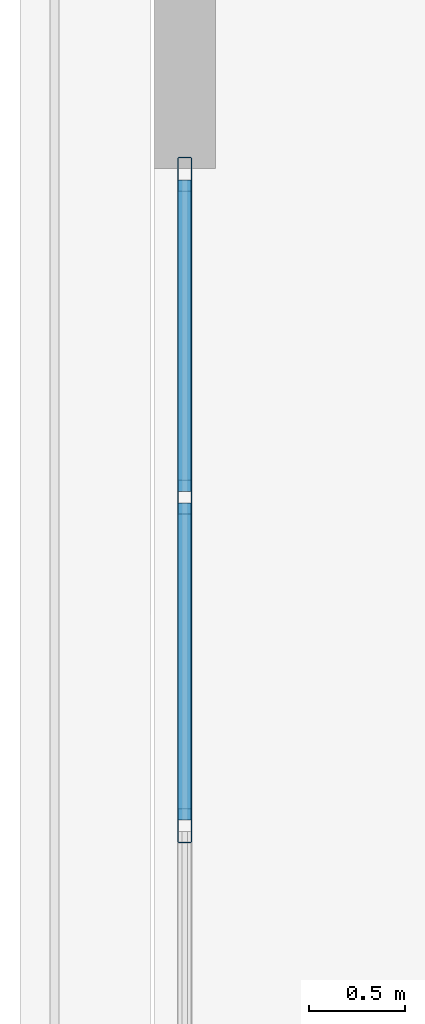
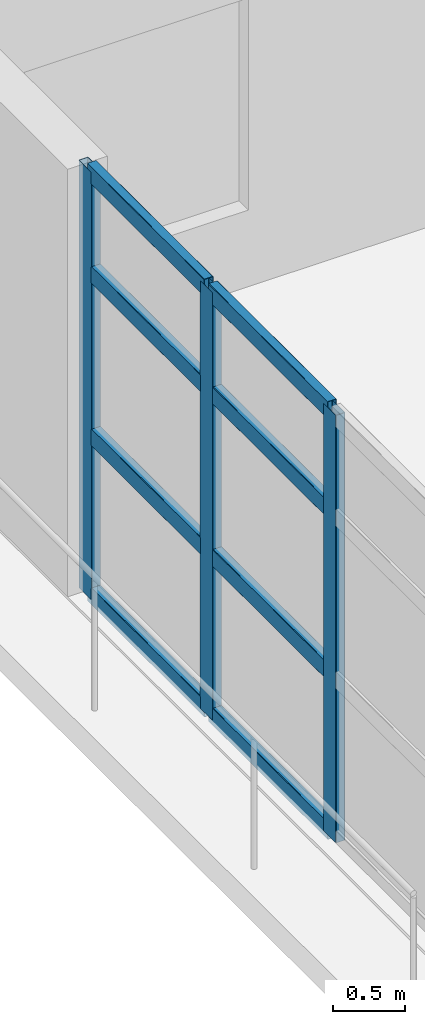
# One storey, part 6 of 23: 11 members, 1 element without a shape of its own.
"""IFC4 building model written with IfcOpenShell, lengths in metres."""

from ifc_helpers import new_model, si_unit, direction, frame, origin, origin_2d, place, context, subcontext, project, spatial, hollow_rectangle, extrude, material, layer, layer_set, material_profile, profile_set, type_object, element, aggregate, save


model = new_model("IFC4")

# Units and contexts
model_context = context("Model", 3, precision=1e-05, world=origin(), true_north=direction((0.0, 1.0)))
body_context = subcontext(model_context, "Body", "Model", "MODEL_VIEW")
ifc_project = project(units=[si_unit("LENGTHUNIT", "METRE"), si_unit("AREAUNIT", "SQUARE_METRE"), si_unit("VOLUMEUNIT", "CUBIC_METRE"), si_unit("PLANEANGLEUNIT", "RADIAN"), si_unit("MASSUNIT", "GRAM", prefix="KILO")], contexts=[model_context])

# Site, building, storey
site_placement = place(None, origin())
site = spatial("IfcSite", under=ifc_project, at=site_placement, CompositionType="ELEMENT")
building_placement = place(site_placement, origin())
building = spatial("IfcBuilding", under=site, at=building_placement, Name="Qingluan Cross Belvedere", CompositionType="ELEMENT")
storey_placement = place(building_placement, frame((0.0, 0.0, 5.39990234375)))
storey = spatial("IfcBuildingStorey", under=building, at=storey_placement, Name="L02", CompositionType="ELEMENT", Elevation=5.39990234375)

# Curtain wall, members
ifc_material_1 = material(Name="Thermally broken aluminium and Low-E glass", Category="aluminium")
ifc_layer = layer(ifc_material_1, 0.199951171875, Name="UnitisedCW_PodiumArrival")
ifc_layer_set = layer_set([ifc_layer], Name="Thermally broken aluminium and Low-E glass")
curtain_wall_type = type_object("IfcCurtainWallType", Name="UnitisedCW_PodiumArrival", PredefinedType="USERDEFINED", material=ifc_layer_set)
curtain_wall_placement = place(storey_placement, origin())
curtain_wall = element("IfcCurtainWall", 1, at=curtain_wall_placement, inside=storey, type_object=curtain_wall_type, Name="UnitisedCW_PodiumArrival run env:cw:L02:W", ObjectType="UNITISED CURTAIN WALL", PredefinedType="USERDEFINED")
ifc_material_2 = material(Name="Aluminium alloy 6063-T6", Category="aluminium")
ifc_material_profile_1 = material_profile(ifc_material_2, hollow_rectangle(XDim=0.074951171875, YDim=0.179931640625, WallThickness=0.00390625, InnerFilletRadius=0.00390625, OuterFilletRadius=0.008056640625, at=origin_2d()), Name="CWM180x75x4")
ifc_profile_set_1 = profile_set([ifc_material_profile_1], Name="Aluminium alloy 6063-T6")
member_type_1 = type_object("IfcMemberType", Name="CWMullion_180", PredefinedType="MULLION", material=ifc_profile_set_1)
member_1_placement = place(storey_placement, frame((-38.340087890625, 2.571533203125, 0.0), z_axis=(0.0, 0.0, 1.0), x_axis=(-1.0, 0.0, 0.0)))
member_1 = element("IfcMember", 2, at=member_1_placement, type_object=member_type_1, Name="CW-P1 mullion 6", PredefinedType="MULLION", context=body_context, shape_type="SweptSolid", body=[
    extrude(hollow_rectangle(XDim=0.074951171875, YDim=0.179931640625, WallThickness=0.00390625, InnerFilletRadius=0.00390625, OuterFilletRadius=0.008056640625, at=origin_2d()), origin(), (0.0, 0.0, 1.0), 3.630126953125),
])
member_2_placement = place(storey_placement, frame((-38.340087890625, 4.28564453125, 0.0), z_axis=(0.0, 0.0, 1.0), x_axis=(-1.0, 0.0, 0.0)))
member_2 = element("IfcMember", 3, at=member_2_placement, type_object=member_type_1, Name="CW-P1 mullion 7", PredefinedType="MULLION", context=body_context, shape_type="SweptSolid", body=[
    extrude(hollow_rectangle(XDim=0.074951171875, YDim=0.179931640625, WallThickness=0.00390625, InnerFilletRadius=0.00390625, OuterFilletRadius=0.008056640625, at=origin_2d()), origin(), (0.0, 0.0, 1.0), 3.630126953125),
])
member_3_placement = place(storey_placement, frame((-38.340087890625, 5.969970703125, 0.0), z_axis=(0.0, 0.0, 1.0), x_axis=(-1.0, 0.0, 0.0)))
member_3 = element("IfcMember", 4, at=member_3_placement, type_object=member_type_1, Name="CW-P1 mullion 8", PredefinedType="MULLION", context=body_context, shape_type="SweptSolid", body=[
    extrude(hollow_rectangle(XDim=0.074951171875, YDim=0.179931640625, WallThickness=0.00390625, InnerFilletRadius=0.00390625, OuterFilletRadius=0.008056640625, at=origin_2d()), origin(), (0.0, 0.0, 1.0), 3.630126953125),
])
ifc_material_3 = material(Name="Aluminium alloy 6063-T6", Category="aluminium")
ifc_material_profile_2 = material_profile(ifc_material_3, hollow_rectangle(XDim=0.074951171875, YDim=0.14990234375, WallThickness=0.00390625, InnerFilletRadius=0.00390625, OuterFilletRadius=0.008056640625, at=origin_2d()), Name="CWT150x75x4")
ifc_profile_set_2 = profile_set([ifc_material_profile_2], Name="Aluminium alloy 6063-T6")
member_type_2 = type_object("IfcMemberType", Name="CWTransom_150", PredefinedType="USERDEFINED", material=ifc_profile_set_2)
member_4_placement = place(storey_placement, frame((-38.340087890625, 2.601318359375, 0.030029296875), z_axis=(0.0, 1.0, 0.0), x_axis=(-1.0, 0.0, 0.0)))
member_4 = element("IfcMember", 5, at=member_4_placement, type_object=member_type_2, Name="CW-P1 transom 6.1", ObjectType="TRANSOM", PredefinedType="USERDEFINED", context=body_context, shape_type="SweptSolid", body=[
    extrude(hollow_rectangle(XDim=0.074951171875, YDim=0.14990234375, WallThickness=0.00390625, InnerFilletRadius=0.00390625, OuterFilletRadius=0.008056640625, at=origin_2d()), origin(), (0.0, 0.0, 1.0), 1.654296875),
])
member_5_placement = place(storey_placement, frame((-38.340087890625, 2.601318359375, 1.379150390625), z_axis=(0.0, 1.0, 0.0), x_axis=(-1.0, 0.0, 0.0)))
member_5 = element("IfcMember", 6, at=member_5_placement, type_object=member_type_2, Name="CW-P1 transom 6.2", ObjectType="TRANSOM", PredefinedType="USERDEFINED", context=body_context, shape_type="SweptSolid", body=[
    extrude(hollow_rectangle(XDim=0.074951171875, YDim=0.14990234375, WallThickness=0.00390625, InnerFilletRadius=0.00390625, OuterFilletRadius=0.008056640625, at=origin_2d()), origin(), (0.0, 0.0, 1.0), 1.654296875),
])
member_6_placement = place(storey_placement, frame((-38.340087890625, 2.601318359375, 2.759033203125), z_axis=(0.0, 1.0, 0.0), x_axis=(-1.0, 0.0, 0.0)))
member_6 = element("IfcMember", 7, at=member_6_placement, type_object=member_type_2, Name="CW-P1 transom 6.3", ObjectType="TRANSOM", PredefinedType="USERDEFINED", context=body_context, shape_type="SweptSolid", body=[
    extrude(hollow_rectangle(XDim=0.074951171875, YDim=0.14990234375, WallThickness=0.00390625, InnerFilletRadius=0.00390625, OuterFilletRadius=0.008056640625, at=origin_2d()), origin(), (0.0, 0.0, 1.0), 1.654296875),
])
member_7_placement = place(storey_placement, frame((-38.340087890625, 2.601318359375, 3.60009765625), z_axis=(0.0, 1.0, 0.0), x_axis=(-1.0, 0.0, 0.0)))
member_7 = element("IfcMember", 8, at=member_7_placement, type_object=member_type_2, Name="CW-P1 transom 6.4", ObjectType="TRANSOM", PredefinedType="USERDEFINED", context=body_context, shape_type="SweptSolid", body=[
    extrude(hollow_rectangle(XDim=0.074951171875, YDim=0.14990234375, WallThickness=0.00390625, InnerFilletRadius=0.00390625, OuterFilletRadius=0.008056640625, at=origin_2d()), origin(), (0.0, 0.0, 1.0), 1.654296875),
])
member_8_placement = place(storey_placement, frame((-38.340087890625, 4.315673828125, 0.030029296875), z_axis=(0.0, 1.0, 0.0), x_axis=(-1.0, 0.0, 0.0)))
member_8 = element("IfcMember", 9, at=member_8_placement, type_object=member_type_2, Name="CW-P1 transom 7.1", ObjectType="TRANSOM", PredefinedType="USERDEFINED", context=body_context, shape_type="SweptSolid", body=[
    extrude(hollow_rectangle(XDim=0.074951171875, YDim=0.14990234375, WallThickness=0.00390625, InnerFilletRadius=0.00390625, OuterFilletRadius=0.008056640625, at=origin_2d()), origin(), (0.0, 0.0, 1.0), 1.624267578125),
])
member_9_placement = place(storey_placement, frame((-38.340087890625, 4.315673828125, 1.379150390625), z_axis=(0.0, 1.0, 0.0), x_axis=(-1.0, 0.0, 0.0)))
member_9 = element("IfcMember", 10, at=member_9_placement, type_object=member_type_2, Name="CW-P1 transom 7.2", ObjectType="TRANSOM", PredefinedType="USERDEFINED", context=body_context, shape_type="SweptSolid", body=[
    extrude(hollow_rectangle(XDim=0.074951171875, YDim=0.14990234375, WallThickness=0.00390625, InnerFilletRadius=0.00390625, OuterFilletRadius=0.008056640625, at=origin_2d()), origin(), (0.0, 0.0, 1.0), 1.624267578125),
])
member_10_placement = place(storey_placement, frame((-38.340087890625, 4.315673828125, 2.759033203125), z_axis=(0.0, 1.0, 0.0), x_axis=(-1.0, 0.0, 0.0)))
member_10 = element("IfcMember", 11, at=member_10_placement, type_object=member_type_2, Name="CW-P1 transom 7.3", ObjectType="TRANSOM", PredefinedType="USERDEFINED", context=body_context, shape_type="SweptSolid", body=[
    extrude(hollow_rectangle(XDim=0.074951171875, YDim=0.14990234375, WallThickness=0.00390625, InnerFilletRadius=0.00390625, OuterFilletRadius=0.008056640625, at=origin_2d()), origin(), (0.0, 0.0, 1.0), 1.624267578125),
])
member_11_placement = place(storey_placement, frame((-38.340087890625, 4.315673828125, 3.60009765625), z_axis=(0.0, 1.0, 0.0), x_axis=(-1.0, 0.0, 0.0)))
member_11 = element("IfcMember", 12, at=member_11_placement, type_object=member_type_2, Name="CW-P1 transom 7.4", ObjectType="TRANSOM", PredefinedType="USERDEFINED", context=body_context, shape_type="SweptSolid", body=[
    extrude(hollow_rectangle(XDim=0.074951171875, YDim=0.14990234375, WallThickness=0.00390625, InnerFilletRadius=0.00390625, OuterFilletRadius=0.008056640625, at=origin_2d()), origin(), (0.0, 0.0, 1.0), 1.624267578125),
])
aggregate(curtain_wall, [member_1, member_2, member_3, member_4, member_5, member_6, member_7, member_8, member_9, member_10, member_11])

save(model, "model.ifc")
